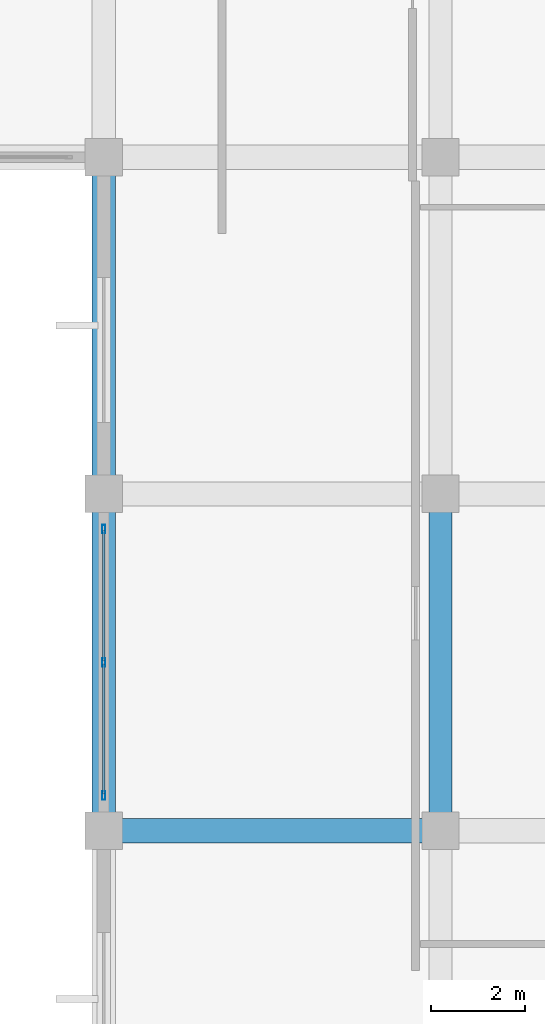
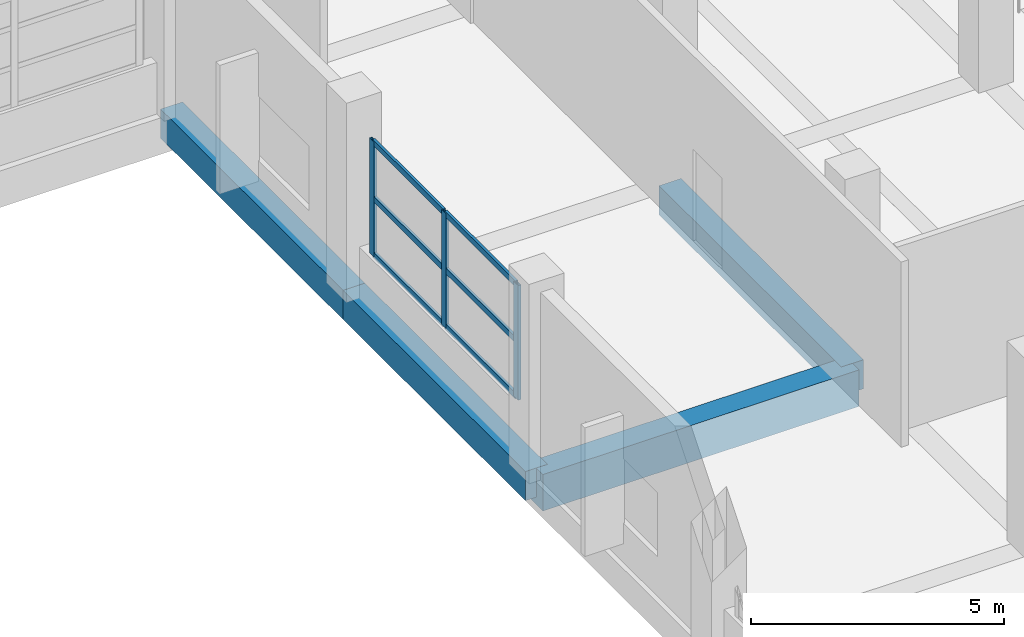
# One storey, part 46 of 140: 9 members, 4 beams, 1 element without a shape of its own.
"""IFC4 building model written with IfcOpenShell, lengths in metres."""

from ifc_helpers import new_model, si_unit, direction, frame, origin, origin_2d, place, context, subcontext, project, spatial, rectangle, hollow_rectangle, extrude, material, layer, layer_set, material_profile, profile_set, type_object, element, aggregate, save


model = new_model("IFC4")

# Units and contexts
model_context = context("Model", 3, precision=1e-05, world=origin(), true_north=direction((0.0, 1.0)))
body_context = subcontext(model_context, "Body", "Model", "MODEL_VIEW")
ifc_project = project(units=[si_unit("LENGTHUNIT", "METRE"), si_unit("AREAUNIT", "SQUARE_METRE"), si_unit("VOLUMEUNIT", "CUBIC_METRE"), si_unit("PLANEANGLEUNIT", "RADIAN"), si_unit("MASSUNIT", "GRAM", prefix="KILO")], contexts=[model_context])

# Site, building, storey
site_placement = place(None, origin())
site = spatial("IfcSite", under=ifc_project, at=site_placement, CompositionType="ELEMENT")
building_placement = place(site_placement, origin())
building = spatial("IfcBuilding", under=site, at=building_placement, Name="Seraya Terrace Polytechnic", CompositionType="ELEMENT")
storey_placement = place(building_placement, frame((0.0, 0.0, 9.60009765625)))
storey = spatial("IfcBuildingStorey", under=building, at=storey_placement, Name="L02", CompositionType="ELEMENT", Elevation=9.60009765625)

# Beams
ifc_material_1 = material(Name="Concrete C40/50", Category="concrete")
ifc_material_profile_1 = material_profile(ifc_material_1, rectangle(XDim=0.52001953125, YDim=0.8798828125, at=origin_2d()), Name="RC 520x880")
ifc_profile_set_1 = profile_set([ifc_material_profile_1], Name="Concrete C40/50")
beam_type_1 = type_object("IfcBeamType", Name="BM-04", PredefinedType="BEAM", material=ifc_profile_set_1)
beam_1_placement = place(storey_placement, frame((79.199951171875, 50.39990234375, -0.440185546875), z_axis=(1.0, 0.0, 0.0), x_axis=(0.0, 1.0, 0.0)))
element("IfcBeam", 1, at=beam_1_placement, inside=storey, type_object=beam_type_1, Name="Beam BM-04 L02 X (79.2..86.4, 50.4)", PredefinedType="BEAM", context=body_context, shape_type="SweptSolid", body=[
    extrude(rectangle(XDim=0.52001953125, YDim=0.8798828125, at=origin_2d()), origin(), (0.0, 0.0, 1.0), 7.199951171875),
])
ifc_material_profile_2 = material_profile(ifc_material_1, rectangle(XDim=0.5, YDim=0.699951171875, at=origin_2d()), Name="RC 500x700")
ifc_profile_set_2 = profile_set([ifc_material_profile_2], Name="Concrete C40/50")
beam_type_2 = type_object("IfcBeamType", Name="BM-07", PredefinedType="BEAM", material=ifc_profile_set_2)
beam_2_placement = place(storey_placement, frame((79.199951171875, 50.39990234375, -0.35009765625), z_axis=(0.0, 1.0, 0.0), x_axis=(-1.0, 0.0, 0.0)))
element("IfcBeam", 2, at=beam_2_placement, inside=storey, type_object=beam_type_2, Name="Beam BM-07 L02 Y (79.2, 50.4..57.6)", PredefinedType="BEAM", context=body_context, shape_type="SweptSolid", body=[
    extrude(rectangle(XDim=0.5, YDim=0.699951171875, at=origin_2d()), origin(), (0.0, 0.0, 1.0), 7.2001953125),
])
beam_3_placement = place(storey_placement, frame((79.199951171875, 57.60009765625, -0.35009765625), z_axis=(0.0, 1.0, 0.0), x_axis=(-1.0, 0.0, 0.0)))
element("IfcBeam", 3, at=beam_3_placement, inside=storey, type_object=beam_type_2, Name="Beam BM-07 L02 Y (79.2, 57.6..64.8)", PredefinedType="BEAM", context=body_context, shape_type="SweptSolid", body=[
    extrude(rectangle(XDim=0.5, YDim=0.699951171875, at=origin_2d()), origin(), (0.0, 0.0, 1.0), 7.199951171875),
])
beam_4_placement = place(storey_placement, frame((86.39990234375, 50.39990234375, -0.35009765625), z_axis=(0.0, 1.0, 0.0), x_axis=(-1.0, 0.0, 0.0)))
element("IfcBeam", 4, at=beam_4_placement, inside=storey, type_object=beam_type_2, Name="Beam BM-07 L02 Y (86.4, 50.4..57.6)", PredefinedType="BEAM", context=body_context, shape_type="SweptSolid", body=[
    extrude(rectangle(XDim=0.5, YDim=0.699951171875, at=origin_2d()), origin(), (0.0, 0.0, 1.0), 7.2001953125),
])

# Curtain wall, members
ifc_material_2 = material(Name="Anodised aluminium EN AW-6063 T6", Category="aluminium")
ifc_layer = layer(ifc_material_2, 0.179931640625, Name="CW-10")
ifc_layer_set = layer_set([ifc_layer], Name="Anodised aluminium EN AW-6063 T6")
curtain_wall_type = type_object("IfcCurtainWallType", Name="CW-10", PredefinedType="NOTDEFINED", material=ifc_layer_set)
curtain_wall_placement = place(storey_placement, origin())
curtain_wall = element("IfcCurtainWall", 5, at=curtain_wall_placement, inside=storey, type_object=curtain_wall_type, Name="Unitised curtain wall CW-10 (CW-L02-082)", PredefinedType="NOTDEFINED")
ifc_material_profile_3 = material_profile(ifc_material_2, hollow_rectangle(XDim=0.06494140625, YDim=0.179931640625, WallThickness=0.00390625, at=origin_2d()), Name="RHS 180x65x4.0")
ifc_profile_set_3 = profile_set([ifc_material_profile_3], Name="Anodised aluminium EN AW-6063 T6")
member_type_1 = type_object("IfcMemberType", Name="CWM-01", PredefinedType="MULLION", material=ifc_profile_set_3)
member_1_placement = place(storey_placement, frame((79.199951171875, 51.152587890625, 1.239990234375), z_axis=(0.0, 0.0, 1.0), x_axis=(-1.0, 0.0, 0.0)))
member_1 = element("IfcMember", 6, at=member_1_placement, type_object=member_type_1, Name="CW-10 mullion 1", PredefinedType="MULLION", context=body_context, shape_type="SweptSolid", body=[
    extrude(hollow_rectangle(XDim=0.06494140625, YDim=0.179931640625, WallThickness=0.00390625, at=origin_2d()), origin(), (0.0, 0.0, 1.0), 2.760009765625),
])
member_2_placement = place(storey_placement, frame((79.199951171875, 54.0, 1.239990234375), z_axis=(0.0, 0.0, 1.0), x_axis=(-1.0, 0.0, 0.0)))
member_2 = element("IfcMember", 7, at=member_2_placement, type_object=member_type_1, Name="CW-10 mullion 2", PredefinedType="MULLION", context=body_context, shape_type="SweptSolid", body=[
    extrude(hollow_rectangle(XDim=0.06494140625, YDim=0.179931640625, WallThickness=0.00390625, at=origin_2d()), origin(), (0.0, 0.0, 1.0), 2.760009765625),
])
member_3_placement = place(storey_placement, frame((79.199951171875, 56.847412109375, 1.239990234375), z_axis=(0.0, 0.0, 1.0), x_axis=(-1.0, 0.0, 0.0)))
member_3 = element("IfcMember", 8, at=member_3_placement, type_object=member_type_1, Name="CW-10 mullion 3", PredefinedType="MULLION", context=body_context, shape_type="SweptSolid", body=[
    extrude(hollow_rectangle(XDim=0.06494140625, YDim=0.179931640625, WallThickness=0.00390625, at=origin_2d()), origin(), (0.0, 0.0, 1.0), 2.760009765625),
])
ifc_material_profile_4 = material_profile(ifc_material_2, hollow_rectangle(XDim=0.06005859375, YDim=0.139892578125, WallThickness=0.00341796875, at=origin_2d()), Name="RHS 140x60x3.5")
ifc_profile_set_4 = profile_set([ifc_material_profile_4], Name="Anodised aluminium EN AW-6063 T6")
member_type_2 = type_object("IfcMemberType", Name="CWT-01", PredefinedType="USERDEFINED", material=ifc_profile_set_4)
member_4_placement = place(storey_placement, frame((79.199951171875, 51.18505859375, 1.27001953125), z_axis=(0.0, 1.0, 0.0), x_axis=(-1.0, 0.0, 0.0)))
member_4 = element("IfcMember", 9, at=member_4_placement, type_object=member_type_2, Name="CW-10 transom 1.1", ObjectType="TRANSOM", PredefinedType="USERDEFINED", context=body_context, shape_type="SweptSolid", body=[
    extrude(hollow_rectangle(XDim=0.06005859375, YDim=0.139892578125, WallThickness=0.00341796875, at=origin_2d()), origin(), (0.0, 0.0, 1.0), 2.782470703125),
])
member_5_placement = place(storey_placement, frame((79.199951171875, 51.18505859375, 2.619873046875), z_axis=(0.0, 1.0, 0.0), x_axis=(-1.0, 0.0, 0.0)))
member_5 = element("IfcMember", 10, at=member_5_placement, type_object=member_type_2, Name="CW-10 transom 1.2", ObjectType="TRANSOM", PredefinedType="USERDEFINED", context=body_context, shape_type="SweptSolid", body=[
    extrude(hollow_rectangle(XDim=0.06005859375, YDim=0.139892578125, WallThickness=0.00341796875, at=origin_2d()), origin(), (0.0, 0.0, 1.0), 2.782470703125),
])
member_6_placement = place(storey_placement, frame((79.199951171875, 51.18505859375, 3.969970703125), z_axis=(0.0, 1.0, 0.0), x_axis=(-1.0, 0.0, 0.0)))
member_6 = element("IfcMember", 11, at=member_6_placement, type_object=member_type_2, Name="CW-10 transom 1.3", ObjectType="TRANSOM", PredefinedType="USERDEFINED", context=body_context, shape_type="SweptSolid", body=[
    extrude(hollow_rectangle(XDim=0.06005859375, YDim=0.139892578125, WallThickness=0.00341796875, at=origin_2d()), origin(), (0.0, 0.0, 1.0), 2.782470703125),
])
member_7_placement = place(storey_placement, frame((79.199951171875, 54.032470703125, 1.27001953125), z_axis=(0.0, 1.0, 0.0), x_axis=(-1.0, 0.0, 0.0)))
member_7 = element("IfcMember", 12, at=member_7_placement, type_object=member_type_2, Name="CW-10 transom 2.1", ObjectType="TRANSOM", PredefinedType="USERDEFINED", context=body_context, shape_type="SweptSolid", body=[
    extrude(hollow_rectangle(XDim=0.06005859375, YDim=0.139892578125, WallThickness=0.00341796875, at=origin_2d()), origin(), (0.0, 0.0, 1.0), 2.782470703125),
])
member_8_placement = place(storey_placement, frame((79.199951171875, 54.032470703125, 2.619873046875), z_axis=(0.0, 1.0, 0.0), x_axis=(-1.0, 0.0, 0.0)))
member_8 = element("IfcMember", 13, at=member_8_placement, type_object=member_type_2, Name="CW-10 transom 2.2", ObjectType="TRANSOM", PredefinedType="USERDEFINED", context=body_context, shape_type="SweptSolid", body=[
    extrude(hollow_rectangle(XDim=0.06005859375, YDim=0.139892578125, WallThickness=0.00341796875, at=origin_2d()), origin(), (0.0, 0.0, 1.0), 2.782470703125),
])
member_9_placement = place(storey_placement, frame((79.199951171875, 54.032470703125, 3.969970703125), z_axis=(0.0, 1.0, 0.0), x_axis=(-1.0, 0.0, 0.0)))
member_9 = element("IfcMember", 14, at=member_9_placement, type_object=member_type_2, Name="CW-10 transom 2.3", ObjectType="TRANSOM", PredefinedType="USERDEFINED", context=body_context, shape_type="SweptSolid", body=[
    extrude(hollow_rectangle(XDim=0.06005859375, YDim=0.139892578125, WallThickness=0.00341796875, at=origin_2d()), origin(), (0.0, 0.0, 1.0), 2.782470703125),
])
aggregate(curtain_wall, [member_1, member_2, member_3, member_4, member_5, member_6, member_7, member_8, member_9])

save(model, "model.ifc")
